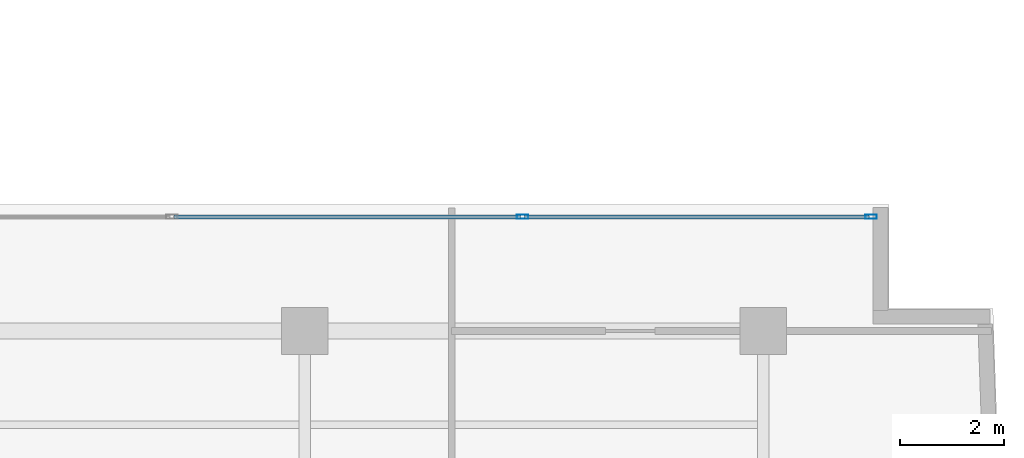
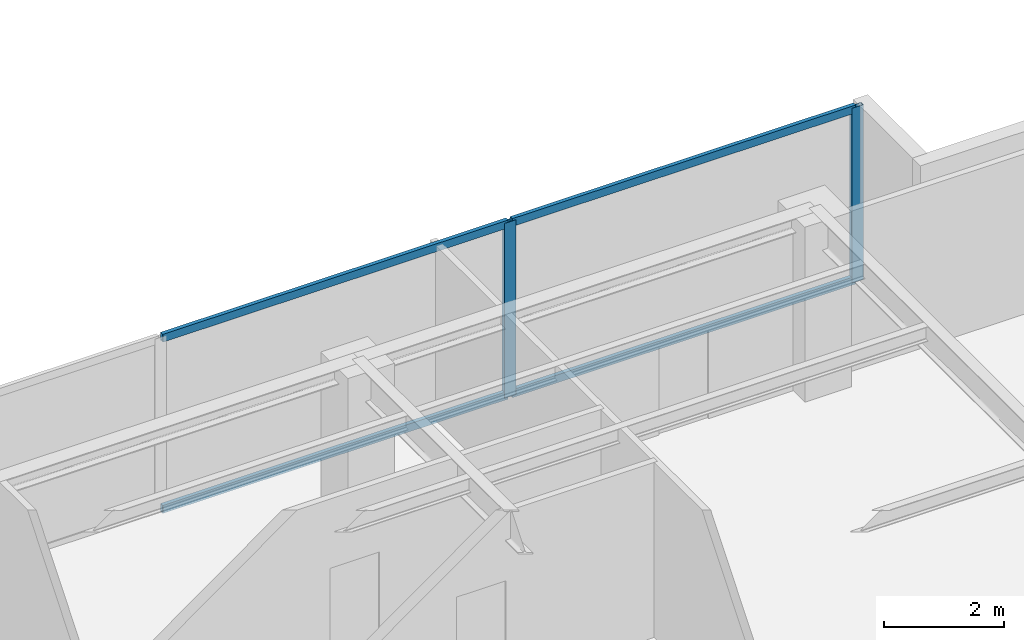
# One storey, part 12 of 22: 6 members, 1 element without a shape of its own.
"""IFC4 building model written with IfcOpenShell, lengths in metres."""

import ifcopenshell
import ifcopenshell.guid

model = None  # the IFC model being written
_history = None  # IfcOwnerHistory: only IFC2X3 demands one
_inside = {}  # id of a spatial element -> (the spatial element, [elements in it])
_under = {}  # id of a project, library or spatial element -> (it, [spatial elements below it])
_declared = {}  # id of a project -> (the project, [libraries it declares])
_typed = {}  # id of a type object -> (the type object, [elements of that type])
_made_of = {}  # id of a material, layer set ... -> (it, [elements and type objects made of it])


def new_model(schema):
    """Start an empty IFC model of exactly this schema.

    Asked for "IFC4X3", IfcOpenShell would pick the latest addendum, in which some entities
    have other attributes; the version numbers below select the first issue.
    IFC2X3 requires an IfcOwnerHistory on every rooted entity: one is made here for all.
    """
    global model, _history
    if schema == "IFC4X3":
        model = ifcopenshell.file(schema_version=(4, 3, 0, 0))
    else:
        model = ifcopenshell.file(schema=schema)
    _inside.clear()
    _under.clear()
    _declared.clear()
    _typed.clear()
    _made_of.clear()
    _history = None
    if model.schema == "IFC2X3":
        org = make("IfcOrganization", Name="unknown")
        user = make(
            "IfcPersonAndOrganization",
            ThePerson=make("IfcPerson", FamilyName="unknown"),
            TheOrganization=org,
        )
        app = make(
            "IfcApplication",
            ApplicationDeveloper=org,
            Version="unknown",
            ApplicationFullName="unknown",
            ApplicationIdentifier="unknown",
        )
        _history = make(
            "IfcOwnerHistory",
            OwningUser=user,
            OwningApplication=app,
            ChangeAction="ADDED",
            CreationDate=0,
        )
    return model


def make(cls, **values):
    """One entity of the class cls with the attributes given. An attribute that is None is left unset."""
    return model.create_entity(
        cls, **{name: value for name, value in values.items() if value is not None}
    )


def rooted(cls, **values):
    """An entity with a GlobalId (a new one), such as an element, a storey or a relation."""
    return make(cls, GlobalId=ifcopenshell.guid.new(), OwnerHistory=_history, **values)


def si_unit(unit_type, name, prefix=None):
    """IfcSIUnit, for example si_unit("LENGTHUNIT", "METRE", prefix="MILLI")."""
    return make("IfcSIUnit", UnitType=unit_type, Prefix=prefix, Name=name)


def assignment(units):
    """IfcUnitAssignment: the units of a project."""
    return None if units is None else make("IfcUnitAssignment", Units=units)


def point(xyz):
    """IfcCartesianPoint."""
    return None if xyz is None else make("IfcCartesianPoint", Coordinates=xyz)


def direction(xyz):
    """IfcDirection."""
    return None if xyz is None else make("IfcDirection", DirectionRatios=xyz)


def frame(location, z_axis=None, x_axis=None):
    """IfcAxis2Placement3D, a coordinate frame: its origin and axes. An axis left out is left unset."""
    return make(
        "IfcAxis2Placement3D",
        Location=point(location),
        Axis=direction(z_axis),
        RefDirection=direction(x_axis),
    )


def frame_2d(location, x_axis=None):
    """IfcAxis2Placement2D, a coordinate frame in the plane: its origin and x axis."""
    return make(
        "IfcAxis2Placement2D", Location=point(location), RefDirection=direction(x_axis)
    )


def origin():
    """The frame at (0, 0, 0) with its axes left unset."""
    return frame((0.0, 0.0, 0.0))


def origin_with_axes():
    """The frame at (0, 0, 0) with the z axis (0, 0, 1) and the x axis (1, 0, 0) written out."""
    return frame((0.0, 0.0, 0.0), z_axis=(0.0, 0.0, 1.0), x_axis=(1.0, 0.0, 0.0))


def origin_2d():
    """The frame at (0, 0) in the plane with its x axis left unset."""
    return frame_2d((0.0, 0.0))


def place(relative_to, where):
    """IfcLocalPlacement: puts the frame where relative to a parent placement (None: the world)."""
    return make(
        "IfcLocalPlacement", PlacementRelTo=relative_to, RelativePlacement=where
    )


def context(
    kind, dimensions, precision=None, world=None, true_north=None, identifier=None
):
    """IfcGeometricRepresentationContext, for example the 3D "Model" context."""
    return make(
        "IfcGeometricRepresentationContext",
        ContextIdentifier=identifier,
        ContextType=kind,
        CoordinateSpaceDimension=dimensions,
        Precision=precision,
        WorldCoordinateSystem=world,
        TrueNorth=true_north,
    )


def subcontext(parent, identifier, kind, view, scale=None):
    """IfcGeometricRepresentationSubContext, for example "Body" below "Model"."""
    return make(
        "IfcGeometricRepresentationSubContext",
        ContextIdentifier=identifier,
        ContextType=kind,
        ParentContext=parent,
        TargetScale=scale,
        TargetView=view,
    )


def project(units=None, contexts=None):
    """IfcProject with its units and contexts."""
    return rooted(
        "IfcProject",
        Name="project",
        RepresentationContexts=contexts,
        UnitsInContext=assignment(units),
    )


def spatial(cls, under=None, at=None, **own):
    """A site, building, storey or space (cls), placed at a placement, below another one or the project."""
    s = rooted(cls, ObjectPlacement=at, **own)
    if under is not None:
        _under.setdefault(under.id(), (under, []))[1].append(s)
    return s


def profile(cls, at=None, kind="AREA", **sizes):
    """A parametric profile (cls). Its sizes go by their IFC names, for example OverallWidth=200.0."""
    return make(cls, ProfileType=kind, Position=at, **sizes)


def hollow_rectangle(**sizes):
    """IfcRectangleHollowProfileDef."""
    return profile("IfcRectangleHollowProfileDef", **sizes)


def extrude(swept, where, along, depth):
    """IfcExtrudedAreaSolid: the profile swept, set in the frame where, extruded along a direction by depth."""
    return make(
        "IfcExtrudedAreaSolid",
        SweptArea=swept,
        Position=where,
        ExtrudedDirection=direction(along),
        Depth=depth,
    )


def shape(context_of_items, identifier, shape_type, items):
    """IfcShapeRepresentation: the items that make up one representation, for example the "Body"."""
    return make(
        "IfcShapeRepresentation",
        ContextOfItems=context_of_items,
        RepresentationIdentifier=identifier,
        RepresentationType=shape_type,
        Items=items,
    )


def source(mapping_origin, context_of_items, identifier, shape_type, items):
    """IfcRepresentationMap: a shape defined once, which mapped items show again and again."""
    return make(
        "IfcRepresentationMap",
        MappingOrigin=mapping_origin,
        MappedRepresentation=shape(context_of_items, identifier, shape_type, items),
    )


def transform(
    local_origin,
    x_axis=None,
    y_axis=None,
    z_axis=None,
    scale=None,
    scale2=None,
    scale3=None,
    uniform=True,
):
    """IfcCartesianTransformationOperator3D, or its non-uniform kind. x_axis, y_axis, z_axis: its Axis1, 2, 3."""
    if uniform:
        return make(
            "IfcCartesianTransformationOperator3D",
            Axis1=direction(x_axis),
            Axis2=direction(y_axis),
            LocalOrigin=point(local_origin),
            Scale=scale,
            Axis3=direction(z_axis),
        )
    return make(
        "IfcCartesianTransformationOperator3DnonUniform",
        Axis1=direction(x_axis),
        Axis2=direction(y_axis),
        LocalOrigin=point(local_origin),
        Scale=scale,
        Axis3=direction(z_axis),
        Scale2=scale2,
        Scale3=scale3,
    )


def mapped(mapping_source, mapping_target):
    """IfcMappedItem: shows the shape of a source again, moved by a transform."""
    return make(
        "IfcMappedItem", MappingSource=mapping_source, MappingTarget=mapping_target
    )


def material(Name=None, Category=None):
    """IfcMaterial."""
    return make("IfcMaterial", Name=Name, Category=Category)


def layer(
    of_material, thickness, ventilated=None, Name=None, Category=None, Priority=None
):
    """IfcMaterialLayer: one layer of a wall or slab, of a material (None: an air gap)."""
    return make(
        "IfcMaterialLayer",
        Material=of_material,
        LayerThickness=thickness,
        IsVentilated=ventilated,
        Name=Name,
        Category=Category,
        Priority=Priority,
    )


def layer_set(layers, Name=None):
    """IfcMaterialLayerSet."""
    return make("IfcMaterialLayerSet", MaterialLayers=layers, LayerSetName=Name)


def material_profile(
    of_material, cross_section, Name=None, Category=None, Priority=None
):
    """IfcMaterialProfile: a cross section and its material."""
    return make(
        "IfcMaterialProfile",
        Name=Name,
        Material=of_material,
        Profile=cross_section,
        Priority=Priority,
        Category=Category,
    )


def profile_set(profiles, Name=None, composite=None):
    """IfcMaterialProfileSet."""
    return make(
        "IfcMaterialProfileSet",
        Name=Name,
        MaterialProfiles=profiles,
        CompositeProfile=composite,
    )


def made_of(thing, what):
    """Note that an element or type object is made of a material, layer set ...; save() writes the relation."""
    if what is not None:
        _made_of.setdefault(what.id(), (what, []))[1].append(thing)
    return thing


def type_object(cls, material=None, **own):
    """A type object (cls), such as IfcWallType, which elements share."""
    return made_of(rooted(cls, **own), material)


def element(
    cls,
    number,
    at=None,
    inside=None,
    cuts=None,
    type_object=None,
    material=None,
    context=None,
    identifier="Body",
    shape_type=None,
    held_by="IfcProductDefinitionShape",
    body=None,
    shapes=None,
    **own,
):
    """One element of the class cls, such as IfcWall. Its Tag is "e" and its number.

    at: its placement. inside: the storey or other place that contains it. cuts: it is an
    opening in that element (IfcRelVoidsElement). A single representation is given by context,
    identifier, shape_type and body (its items); several are given by shapes. held_by: the class
    of the entity that holds the representations. save() writes the other relations.
    """
    e = rooted(cls, Tag="e%d" % number, ObjectPlacement=at, **own)
    if body is not None:
        shapes = [shape(context, identifier, shape_type, body)]
    if shapes is not None:
        e.Representation = make(held_by, Representations=shapes)
    if inside is not None:
        _inside.setdefault(inside.id(), (inside, []))[1].append(e)
    if cuts is not None:
        rooted(
            "IfcRelVoidsElement", RelatingBuildingElement=cuts, RelatedOpeningElement=e
        )
    if type_object is not None:
        _typed.setdefault(type_object.id(), (type_object, []))[1].append(e)
    return made_of(e, material)


def aggregate(whole, parts):
    """IfcRelAggregates: a whole, such as a stair, and the parts it consists of."""
    return rooted("IfcRelAggregates", RelatingObject=whole, RelatedObjects=parts)


def save(model, path):
    """Write the relations noted so far, then the file.

    IfcRelAggregates (storeys below a building ...), IfcRelContainedInSpatialStructure (elements
    in a storey), IfcRelDefinesByType, IfcRelAssociatesMaterial and IfcRelDeclares: one each for
    every whole, place, type object, material and project.
    """
    for whole, parts in _under.values():
        aggregate(whole, parts)
    for where, things in _inside.values():
        rooted(
            "IfcRelContainedInSpatialStructure",
            RelatedElements=things,
            RelatingStructure=where,
        )
    for kind, things in _typed.values():
        rooted("IfcRelDefinesByType", RelatedObjects=things, RelatingType=kind)
    for what, things in _made_of.values():
        rooted("IfcRelAssociatesMaterial", RelatedObjects=things, RelatingMaterial=what)
    for by, libraries in _declared.values():
        rooted("IfcRelDeclares", RelatingContext=by, RelatedDefinitions=libraries)
    model.write(path)


model = new_model("IFC4")

# Units and contexts
model_context = context("Model", 3, precision=1e-05, world=origin(), true_north=direction((0.0, 1.0)))
body_context = subcontext(model_context, "Body", "Model", "MODEL_VIEW")
ifc_project = project(units=[si_unit("LENGTHUNIT", "METRE"), si_unit("AREAUNIT", "SQUARE_METRE"), si_unit("VOLUMEUNIT", "CUBIC_METRE"), si_unit("PLANEANGLEUNIT", "RADIAN"), si_unit("MASSUNIT", "GRAM", prefix="KILO")], contexts=[model_context])

# Site, building, storey
site_placement = place(None, origin())
site = spatial("IfcSite", under=ifc_project, at=site_placement, CompositionType="ELEMENT")
building_placement = place(site_placement, origin())
building = spatial("IfcBuilding", under=site, at=building_placement, Name="Kolvaren Waterfront Exchange", CompositionType="ELEMENT")
storey_placement = place(building_placement, frame((0.0, 0.0, 323.60009765625)))
storey = spatial("IfcBuildingStorey", under=building, at=storey_placement, Name="L83", CompositionType="ELEMENT", Elevation=323.60009765625)

# Curtain wall, members
ifc_material_1 = material(Name="Anodised bronze aluminium 6063-T6", Category="aluminium")
ifc_layer = layer(ifc_material_1, 0.219970703125, Name="Anodised bronze aluminium 6063-T6")
ifc_layer_set = layer_set([ifc_layer], Name="Anodised bronze aluminium 6063-T6")
curtain_wall_type = type_object("IfcCurtainWallType", Name="ARC-CW-SYS1", PredefinedType="USERDEFINED", material=ifc_layer_set)
curtain_wall_placement = place(storey_placement, origin())
curtain_wall = element("IfcCurtainWall", 1, at=curtain_wall_placement, inside=storey, type_object=curtain_wall_type, Name="L83 stick curtain wall CW1 (CW-L83-EN)", ObjectType="STICK CURTAIN WALL", PredefinedType="USERDEFINED")
ifc_material_2 = material(Name="Anodised aluminium 6063-T6", Category="aluminium")
ifc_material_profile_1 = material_profile(ifc_material_2, hollow_rectangle(XDim=0.080078125, YDim=0.219970703125, WallThickness=0.0048828125, at=origin_2d()), Name="ALU-MUL-220x80x5")
ifc_profile_set_1 = profile_set([ifc_material_profile_1], Name="Anodised aluminium 6063-T6")
member_type_1 = type_object("IfcMemberType", Name="ARC-CWM-220", PredefinedType="MULLION", material=ifc_profile_set_1)
shared_shape_1 = source(origin_with_axes(), body_context, "Body", "SweptSolid", [
    extrude(hollow_rectangle(XDim=0.080078125, YDim=0.219970703125, WallThickness=0.0048828125, at=origin_2d()), origin(), (0.0, 0.0, 1.0), 3.559814453125),
])
member_1_placement = place(storey_placement, frame((40.98095703125, 19.591552734375, 0.0), z_axis=(0.0, 0.0, 1.0), x_axis=(0.0, 1.0, 0.0)))
member_1 = element("IfcMember", 2, at=member_1_placement, type_object=member_type_1, Name="CW1 mullion 3", PredefinedType="MULLION", context=body_context, shape_type="MappedRepresentation", body=[
    mapped(shared_shape_1, transform((0.0, 0.0, 0.0), x_axis=(1.0, 0.0, 0.0), y_axis=(0.0, 1.0, 0.0), z_axis=(0.0, 0.0, 1.0), scale=1.0)),
])
member_2_placement = place(storey_placement, frame((47.67041015625, 19.591552734375, 0.0), z_axis=(0.0, 0.0, 1.0), x_axis=(0.0, 1.0, 0.0)))
member_2 = element("IfcMember", 3, at=member_2_placement, type_object=member_type_1, Name="CW1 mullion 4", PredefinedType="MULLION", context=body_context, shape_type="MappedRepresentation", body=[
    mapped(shared_shape_1, transform((0.0, 0.0, 0.0), x_axis=(1.0, 0.0, 0.0), y_axis=(0.0, 1.0, 0.0), z_axis=(0.0, 0.0, 1.0), scale=1.0)),
])
ifc_material_profile_2 = material_profile(ifc_material_2, hollow_rectangle(XDim=0.074951171875, YDim=0.159912109375, WallThickness=0.00439453125, at=origin_2d()), Name="ALU-TRN-160x75x4.5")
ifc_profile_set_2 = profile_set([ifc_material_profile_2], Name="Anodised aluminium 6063-T6")
member_type_2 = type_object("IfcMemberType", Name="ARC-CWT-160", PredefinedType="USERDEFINED", material=ifc_profile_set_2)
shared_shape_2 = source(origin_with_axes(), body_context, "Body", "SweptSolid", [
    extrude(hollow_rectangle(XDim=0.074951171875, YDim=0.159912109375, WallThickness=0.00439453125, at=origin_2d()), origin(), (0.0, 0.0, 1.0), 6.60986328125),
])
member_3_placement = place(storey_placement, frame((41.020751953125, 19.591552734375, 0.037353515625), z_axis=(1.0, 0.0, 0.0), x_axis=(0.0, 1.0, 0.0)))
member_3 = element("IfcMember", 4, at=member_3_placement, type_object=member_type_2, Name="CW1 transom 3.1", ObjectType="TRANSOM", PredefinedType="USERDEFINED", context=body_context, shape_type="MappedRepresentation", body=[
    mapped(shared_shape_2, transform((0.0, 0.0, 0.0), x_axis=(1.0, 0.0, 0.0), y_axis=(0.0, 1.0, 0.0), z_axis=(0.0, 0.0, 1.0), scale=1.0)),
])
member_4_placement = place(storey_placement, frame((41.020751953125, 19.591552734375, 3.5224609375), z_axis=(1.0, 0.0, 0.0), x_axis=(0.0, 1.0, 0.0)))
member_4 = element("IfcMember", 5, at=member_4_placement, type_object=member_type_2, Name="CW1 transom 3.2", ObjectType="TRANSOM", PredefinedType="USERDEFINED", context=body_context, shape_type="MappedRepresentation", body=[
    mapped(shared_shape_2, transform((0.0, 0.0, 0.0), x_axis=(1.0, 0.0, 0.0), y_axis=(0.0, 1.0, 0.0), z_axis=(0.0, 0.0, 1.0), scale=1.0)),
])
shared_shape_3 = source(origin_with_axes(), body_context, "Body", "SweptSolid", [
    extrude(hollow_rectangle(XDim=0.074951171875, YDim=0.159912109375, WallThickness=0.00439453125, at=origin_2d()), origin(), (0.0, 0.0, 1.0), 6.649658203125),
])
member_5_placement = place(storey_placement, frame((34.291259765625, 19.591552734375, 0.037353515625), z_axis=(1.0, 0.0, 0.0), x_axis=(0.0, 1.0, 0.0)))
member_5 = element("IfcMember", 6, at=member_5_placement, type_object=member_type_2, Name="CW1 transom 2.1", ObjectType="TRANSOM", PredefinedType="USERDEFINED", context=body_context, shape_type="MappedRepresentation", body=[
    mapped(shared_shape_3, transform((0.0, 0.0, 0.0), x_axis=(1.0, 0.0, 0.0), y_axis=(0.0, 1.0, 0.0), z_axis=(0.0, 0.0, 1.0), scale=1.0)),
])
member_6_placement = place(storey_placement, frame((34.291259765625, 19.591552734375, 3.5224609375), z_axis=(1.0, 0.0, 0.0), x_axis=(0.0, 1.0, 0.0)))
member_6 = element("IfcMember", 7, at=member_6_placement, type_object=member_type_2, Name="CW1 transom 2.2", ObjectType="TRANSOM", PredefinedType="USERDEFINED", context=body_context, shape_type="MappedRepresentation", body=[
    mapped(shared_shape_3, transform((0.0, 0.0, 0.0), x_axis=(1.0, 0.0, 0.0), y_axis=(0.0, 1.0, 0.0), z_axis=(0.0, 0.0, 1.0), scale=1.0)),
])
aggregate(curtain_wall, [member_1, member_2, member_5, member_6, member_3, member_4])

save(model, "model.ifc")
